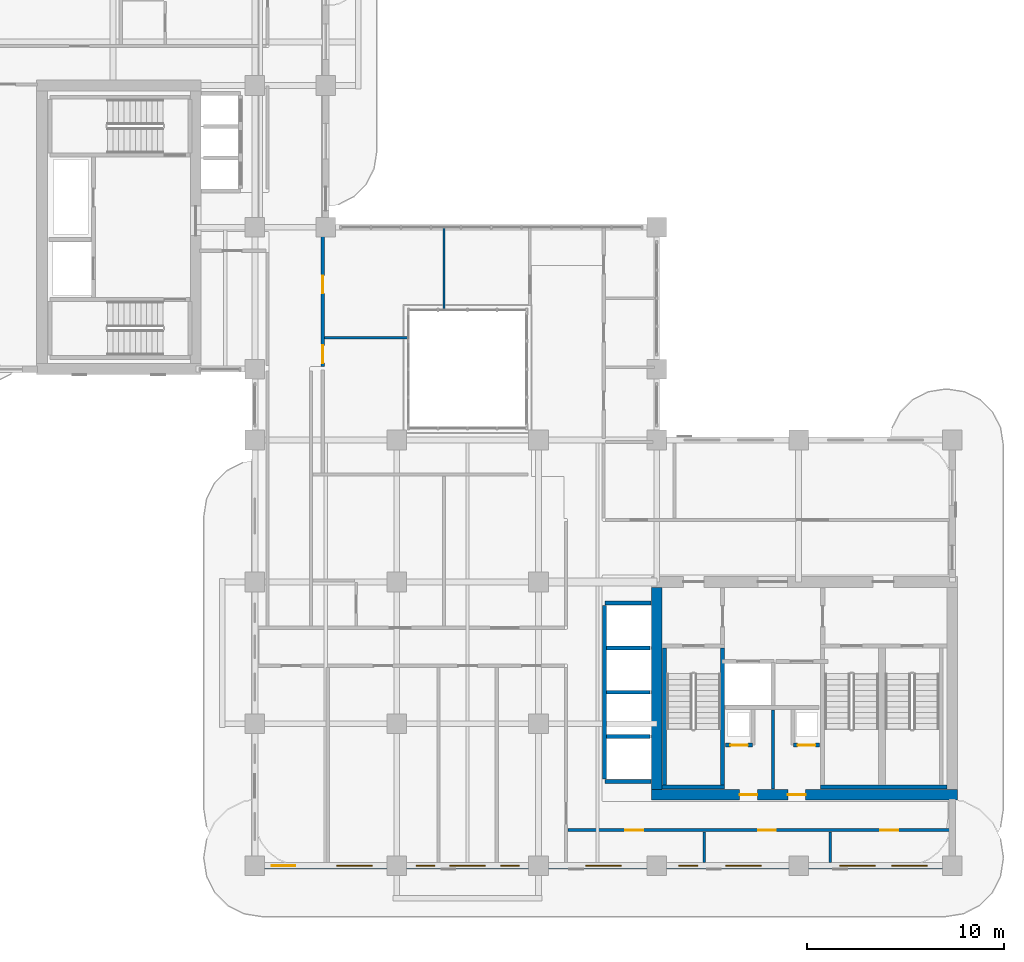
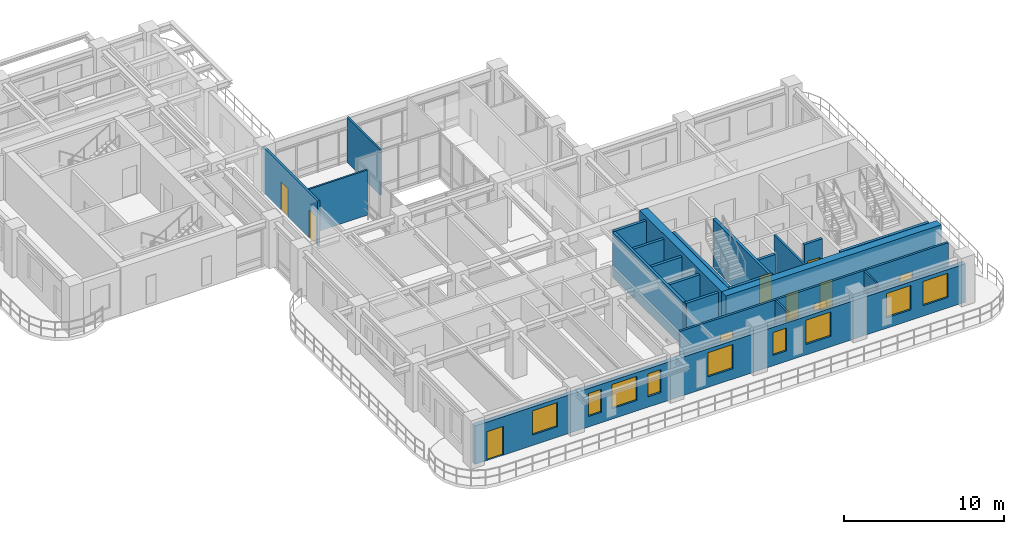
# One storey, part 12 of 20: 22 walls, 10 doors, 9 windows, 19 openings.
"""IFC4 building model written with IfcOpenShell, lengths in metres."""

from ifc_helpers import new_model, si_unit, derived_unit, direction, frame, frame_2d, origin, place, context, subcontext, project, spatial, rectangle, extrude, source, transform, mapped, material, layer, layer_set, type_object, type_shapes, element, fill, save


model = new_model("IFC4")

# Units and contexts
model_context = context("Model", 3, precision=1e-05, world=origin(), true_north=direction((0.0, 1.0)))
body_context = subcontext(model_context, "Body", "Model", "MODEL_VIEW")
ifc_project = project(units=[si_unit("LENGTHUNIT", "METRE"), si_unit("AREAUNIT", "SQUARE_METRE"), si_unit("VOLUMEUNIT", "CUBIC_METRE"), si_unit("PLANEANGLEUNIT", "RADIAN"), si_unit("MASSUNIT", "GRAM", prefix="KILO"), si_unit("THERMODYNAMICTEMPERATUREUNIT", "KELVIN"), si_unit("POWERUNIT", "WATT"), derived_unit("THERMALTRANSMITTANCEUNIT", [(si_unit("POWERUNIT", "WATT"), 1), (si_unit("AREAUNIT", "SQUARE_METRE"), -1), (si_unit("THERMODYNAMICTEMPERATUREUNIT", "KELVIN"), -1)])], contexts=[model_context])

# Site, building, storey
site_placement = place(None, origin())
site = spatial("IfcSite", under=ifc_project, at=site_placement, CompositionType="ELEMENT")
building_placement = place(site_placement, origin())
building = spatial("IfcBuilding", under=site, at=building_placement, Name="Zahravan Archway Hotel and Residences", CompositionType="ELEMENT")
storey_placement = place(building_placement, frame((0.0, 0.0, 137.699951171875)))
storey = spatial("IfcBuildingStorey", under=building, at=storey_placement, Name="L34", CompositionType="ELEMENT", Elevation=137.699951171875)

# Wall, openings, doors
ifc_material_1 = material(Name="Concrete C70/85", Category="concrete")
ifc_layer_1 = layer(ifc_material_1, 0.550048828125, Name="Concrete C70/85", Category="concrete")
ifc_layer_set_1 = layer_set([ifc_layer_1], Name="Concrete C70/85")
wall_type_1 = type_object("IfcWallType", Name="CW-CORE-550", PredefinedType="SHEAR", material=ifc_layer_set_1)
wall_1_placement = place(storey_placement, frame((34.52490234375, 3.60009765625, 0.0), z_axis=(0.0, 0.0, 1.0), x_axis=(1.0, 0.0, 0.0)))
wall_1 = element("IfcWall", 1, at=wall_1_placement, inside=storey, type_object=wall_type_1, Name="L34 Core A Shear S Wall 550 mm", PredefinedType="SHEAR", context=body_context, shape_type="SweptSolid", body=[
    extrude(rectangle(XDim=15.550048828125, YDim=0.550048828125, at=frame_2d((7.77490234375, 0.0))), origin(), (0.0, 0.0, 1.0), 3.699951171875),
])
opening_1_placement = place(wall_1_placement, frame((4.47509765625, 0.0, 0.0)))
opening_1 = element("IfcOpeningElement", 2, at=opening_1_placement, cuts=wall_1, Name="Opening FD-R1", PredefinedType="OPENING", context=body_context, shape_type="SweptSolid", body=[
    extrude(rectangle(XDim=0.89990234375, YDim=2.10009765625, at=frame_2d((0.449951171875, 1.050048828125))), frame((0.0, 0.28515625, 0.0), z_axis=(0.0, -1.0, 0.0), x_axis=(1.0, 0.0, 0.0)), (0.0, 0.0, 1.0), 0.570068359375),
])
opening_2_placement = place(wall_1_placement, frame((6.925048828125, 0.0, 0.0)))
opening_2 = element("IfcOpeningElement", 3, at=opening_2_placement, cuts=wall_1, Name="Opening FD-R1", PredefinedType="OPENING", context=body_context, shape_type="SweptSolid", body=[
    extrude(rectangle(XDim=0.89990234375, YDim=2.10009765625, at=frame_2d((0.449951171875, 1.050048828125))), frame((0.0, 0.28515625, 0.0), z_axis=(0.0, -1.0, 0.0), x_axis=(1.0, 0.0, 0.0)), (0.0, 0.0, 1.0), 0.570068359375),
])
ifc_material_2 = material(Name="Fire-Rated Painted Steel", Category="steel")
door_type_1 = type_object("IfcDoorType", Name="FD-RISER-900", OperationType="NOTDEFINED", PredefinedType="DOOR", material=ifc_material_2)
shared_shape_1 = source(origin(), body_context, "Body", "SweptSolid", [
    extrude(rectangle(XDim=0.89990234375, YDim=2.10009765625, at=frame_2d((0.449951171875, 1.050048828125))), frame((0.0, 0.02490234375, 0.0), z_axis=(0.0, -1.0, 0.0), x_axis=(1.0, 0.0, 0.0)), (0.0, 0.0, 1.0), 0.050048828125),
])
type_shapes(door_type_1, [shared_shape_1])
door_1_placement = place(opening_1_placement, origin())
door_1 = element("IfcDoor", 4, at=door_1_placement, inside=storey, type_object=door_type_1, Name="L34 Electrical Switchgear Door", OperationType="SINGLE_SWING_LEFT", OverallHeight=2.10009765625, OverallWidth=0.89990234375, PredefinedType="DOOR", context=body_context, shape_type="MappedRepresentation", body=[
    mapped(shared_shape_1, transform((0.0, 0.0, 0.0), scale=1.0)),
])
fill(opening_1, door_1)
door_2_placement = place(opening_2_placement, origin())
door_2 = element("IfcDoor", 5, at=door_2_placement, inside=storey, type_object=door_type_1, Name="L34 Telecom BMS Door", OperationType="SINGLE_SWING_RIGHT", OverallHeight=2.10009765625, OverallWidth=0.89990234375, PredefinedType="DOOR", context=body_context, shape_type="MappedRepresentation", body=[
    mapped(shared_shape_1, transform((0.0, 0.0, 0.0), scale=1.0)),
])
fill(opening_2, door_2)

# Wall
wall_2_placement = place(storey_placement, frame((34.800048828125, 3.875, 0.0), z_axis=(0.0, 0.0, 1.0), x_axis=(0.0, 1.0, 0.0)))
element("IfcWall", 6, at=wall_2_placement, inside=storey, type_object=wall_type_1, Name="L34 Core A Shear W Wall 550 mm", PredefinedType="SHEAR", context=body_context, shape_type="SweptSolid", body=[
    extrude(rectangle(XDim=10.25, YDim=0.550048828125, at=frame_2d((5.125, 0.0))), origin(), (0.0, 0.0, 1.0), 3.699951171875),
])

# Wall, openings, door, windows
ifc_material_3 = material(Name="Agra Buff Sandstone & Insulated Backup", Category="masonry")
ifc_layer_2 = layer(ifc_material_3, 0.320068359375, Name="Agra Buff Sandstone & Insulated Backup", Category="masonry")
ifc_layer_set_2 = layer_set([ifc_layer_2], Name="Agra Buff Sandstone & Insulated Backup")
wall_type_2 = type_object("IfcWallType", Name="EW-SAND-320", PredefinedType="SOLIDWALL", material=ifc_layer_set_2)
wall_3_placement = place(storey_placement, frame((14.39990234375, 0.0, 0.0), z_axis=(0.0, 0.0, 1.0), x_axis=(1.0, 0.0, 0.0)))
wall_3 = element("IfcWall", 7, at=wall_3_placement, inside=storey, type_object=wall_type_2, Name="L34 Exterior Sandstone Wall WA-S", PredefinedType="SOLIDWALL", context=body_context, shape_type="SweptSolid", body=[
    extrude(rectangle(XDim=35.400146484375, YDim=0.320068359375, at=frame_2d((17.7001953125, 0.0))), origin(), (0.0, 0.0, 1.0), 2.93505859375),
])
opening_3_placement = place(wall_3_placement, frame((0.85009765625, 0.0, 0.0)))
opening_3 = element("IfcOpeningElement", 8, at=opening_3_placement, cuts=wall_3, Name="Opening ED-BL1", PredefinedType="OPENING", context=body_context, shape_type="SweptSolid", body=[
    extrude(rectangle(XDim=1.199951171875, YDim=2.199951171875, at=frame_2d((0.60009765625, 1.10009765625))), frame((0.0, 0.169921875, 0.0), z_axis=(0.0, -1.0, 0.0), x_axis=(1.0, 0.0, 0.0)), (0.0, 0.0, 1.0), 0.340087890625),
])
opening_4_placement = place(wall_3_placement, frame((4.154052734375, 0.0, 0.800048828125)))
opening_4 = element("IfcOpeningElement", 9, at=opening_4_placement, cuts=wall_3, Name="Opening W-02", PredefinedType="OPENING", context=body_context, shape_type="SweptSolid", body=[
    extrude(rectangle(XDim=1.800048828125, YDim=1.85009765625, at=frame_2d((0.89990234375, 0.925048828125))), frame((0.0, 0.169921875, 0.0), z_axis=(0.0, -1.0, 0.0), x_axis=(1.0, 0.0, 0.0)), (0.0, 0.0, 1.0), 0.340087890625),
])
opening_5_placement = place(wall_3_placement, frame((8.180908203125, 0.0, 0.800048828125)))
opening_5 = element("IfcOpeningElement", 10, at=opening_5_placement, cuts=wall_3, Name="Opening W-04", PredefinedType="OPENING", context=body_context, shape_type="SweptSolid", body=[
    extrude(rectangle(XDim=0.949951171875, YDim=1.75, at=frame_2d((0.47509765625, 0.875))), frame((0.0, 0.169921875, 0.0), z_axis=(0.0, -1.0, 0.0), x_axis=(1.0, 0.0, 0.0)), (0.0, 0.0, 1.0), 0.340087890625),
])
opening_6_placement = place(wall_3_placement, frame((9.89990234375, 0.0, 0.800048828125)))
opening_6 = element("IfcOpeningElement", 11, at=opening_6_placement, cuts=wall_3, Name="Opening W-02", PredefinedType="OPENING", context=body_context, shape_type="SweptSolid", body=[
    extrude(rectangle(XDim=1.800048828125, YDim=1.85009765625, at=frame_2d((0.89990234375, 0.925048828125))), frame((0.0, 0.169921875, 0.0), z_axis=(0.0, -1.0, 0.0), x_axis=(1.0, 0.0, 0.0)), (0.0, 0.0, 1.0), 0.340087890625),
])
opening_7_placement = place(wall_3_placement, frame((12.468994140625, 0.0, 0.800048828125)))
opening_7 = element("IfcOpeningElement", 12, at=opening_7_placement, cuts=wall_3, Name="Opening W-04", PredefinedType="OPENING", context=body_context, shape_type="SweptSolid", body=[
    extrude(rectangle(XDim=0.949951171875, YDim=1.75, at=frame_2d((0.47509765625, 0.875))), frame((0.0, 0.169921875, 0.0), z_axis=(0.0, -1.0, 0.0), x_axis=(1.0, 0.0, 0.0)), (0.0, 0.0, 1.0), 0.340087890625),
])
opening_8_placement = place(wall_3_placement, frame((16.803955078125, 0.0, 0.800048828125)))
opening_8 = element("IfcOpeningElement", 13, at=opening_8_placement, cuts=wall_3, Name="Opening W-02", PredefinedType="OPENING", context=body_context, shape_type="SweptSolid", body=[
    extrude(rectangle(XDim=1.800048828125, YDim=1.85009765625, at=frame_2d((0.89990234375, 0.925048828125))), frame((0.0, 0.169921875, 0.0), z_axis=(0.0, -1.0, 0.0), x_axis=(1.0, 0.0, 0.0)), (0.0, 0.0, 1.0), 0.340087890625),
])
opening_9_placement = place(wall_3_placement, frame((21.52099609375, 0.0, 0.800048828125)))
opening_9 = element("IfcOpeningElement", 14, at=opening_9_placement, cuts=wall_3, Name="Opening W-04", PredefinedType="OPENING", context=body_context, shape_type="SweptSolid", body=[
    extrude(rectangle(XDim=0.949951171875, YDim=1.75, at=frame_2d((0.47509765625, 0.875))), frame((0.0, 0.169921875, 0.0), z_axis=(0.0, -1.0, 0.0), x_axis=(1.0, 0.0, 0.0)), (0.0, 0.0, 1.0), 0.340087890625),
])
opening_10_placement = place(wall_3_placement, frame((23.904052734375, 0.0, 0.800048828125)))
opening_10 = element("IfcOpeningElement", 15, at=opening_10_placement, cuts=wall_3, Name="Opening W-02", PredefinedType="OPENING", context=body_context, shape_type="SweptSolid", body=[
    extrude(rectangle(XDim=1.800048828125, YDim=1.85009765625, at=frame_2d((0.89990234375, 0.925048828125))), frame((0.0, 0.169921875, 0.0), z_axis=(0.0, -1.0, 0.0), x_axis=(1.0, 0.0, 0.0)), (0.0, 0.0, 1.0), 0.340087890625),
])
opening_11_placement = place(wall_3_placement, frame((29.680908203125, 0.0, 0.800048828125)))
opening_11 = element("IfcOpeningElement", 16, at=opening_11_placement, cuts=wall_3, Name="Opening W-02", PredefinedType="OPENING", context=body_context, shape_type="SweptSolid", body=[
    extrude(rectangle(XDim=1.800048828125, YDim=1.85009765625, at=frame_2d((0.89990234375, 0.925048828125))), frame((0.0, 0.169921875, 0.0), z_axis=(0.0, -1.0, 0.0), x_axis=(1.0, 0.0, 0.0)), (0.0, 0.0, 1.0), 0.340087890625),
])
opening_12_placement = place(wall_3_placement, frame((32.326904296875, 0.0, 0.800048828125)))
opening_12 = element("IfcOpeningElement", 17, at=opening_12_placement, cuts=wall_3, Name="Opening W-02", PredefinedType="OPENING", context=body_context, shape_type="SweptSolid", body=[
    extrude(rectangle(XDim=1.800048828125, YDim=1.85009765625, at=frame_2d((0.89990234375, 0.925048828125))), frame((0.0, 0.169921875, 0.0), z_axis=(0.0, -1.0, 0.0), x_axis=(1.0, 0.0, 0.0)), (0.0, 0.0, 1.0), 0.340087890625),
])
ifc_material_4 = material(Name="Bronze-Anodized Glazed Aluminium", Category="aluminium")
door_type_2 = type_object("IfcDoorType", Name="ED-BALC-1200", OperationType="SLIDING_TO_LEFT", PredefinedType="DOOR", material=ifc_material_4)
shared_shape_2 = source(origin(), body_context, "Body", "SweptSolid", [
    extrude(rectangle(XDim=1.199951171875, YDim=2.199951171875, at=frame_2d((0.60009765625, 1.10009765625))), frame((0.0, 0.02490234375, 0.0), z_axis=(0.0, -1.0, 0.0), x_axis=(1.0, 0.0, 0.0)), (0.0, 0.0, 1.0), 0.050048828125),
])
type_shapes(door_type_2, [shared_shape_2])
door_3_placement = place(opening_3_placement, origin())
door_3 = element("IfcDoor", 18, at=door_3_placement, inside=storey, type_object=door_type_2, Name="L34 Outdoor Access Sliding Door (SLB-BAL-L34-SA)", OperationType="SLIDING_TO_LEFT", OverallHeight=2.199951171875, OverallWidth=1.199951171875, PredefinedType="DOOR", context=body_context, shape_type="MappedRepresentation", body=[
    mapped(shared_shape_2, transform((0.0, 0.0, 0.0), scale=1.0)),
])
fill(opening_3, door_3)
ifc_material_5 = material(Name="Bronze-Anodized Thermal-Break Aluminium & Low-E Glass", Category="aluminium")
window_type_1 = type_object("IfcWindowType", Name="WIN-NAR-950", PartitioningType="SINGLE_PANEL", PredefinedType="WINDOW", material=ifc_material_5)
shared_shape_3 = source(origin(), body_context, "Body", "SweptSolid", [
    extrude(rectangle(XDim=0.949951171875, YDim=1.75, at=frame_2d((0.47509765625, 0.875))), frame((0.0, 0.030029296875, 0.0), z_axis=(0.0, -1.0, 0.0), x_axis=(1.0, 0.0, 0.0)), (0.0, 0.0, 1.0), 0.06005859375),
])
type_shapes(window_type_1, [shared_shape_3])
window_1_placement = place(opening_5_placement, origin())
window_1 = element("IfcWindow", 19, at=window_1_placement, inside=storey, type_object=window_type_1, Name="L34 Loggia Window 02", OverallHeight=1.75, OverallWidth=0.949951171875, PartitioningType="SINGLE_PANEL", PredefinedType="WINDOW", context=body_context, shape_type="MappedRepresentation", body=[
    mapped(shared_shape_3, transform((0.0, 0.0, 0.0), scale=1.0)),
])
fill(opening_5, window_1)
window_2_placement = place(opening_7_placement, origin())
window_2 = element("IfcWindow", 20, at=window_2_placement, inside=storey, type_object=window_type_1, Name="L34 Loggia Window 04", OverallHeight=1.75, OverallWidth=0.949951171875, PartitioningType="SINGLE_PANEL", PredefinedType="WINDOW", context=body_context, shape_type="MappedRepresentation", body=[
    mapped(shared_shape_3, transform((0.0, 0.0, 0.0), scale=1.0)),
])
fill(opening_7, window_2)
window_3_placement = place(opening_9_placement, origin())
window_3 = element("IfcWindow", 21, at=window_3_placement, inside=storey, type_object=window_type_1, Name="L34 Loggia Window 06", OverallHeight=1.75, OverallWidth=0.949951171875, PartitioningType="SINGLE_PANEL", PredefinedType="WINDOW", context=body_context, shape_type="MappedRepresentation", body=[
    mapped(shared_shape_3, transform((0.0, 0.0, 0.0), scale=1.0)),
])
fill(opening_9, window_3)
window_type_2 = type_object("IfcWindowType", Name="WIN-TWR-1800", PartitioningType="DOUBLE_PANEL_VERTICAL", PredefinedType="WINDOW", material=ifc_material_5)
shared_shape_4 = source(origin(), body_context, "Body", "SweptSolid", [
    extrude(rectangle(XDim=1.800048828125, YDim=1.85009765625, at=frame_2d((0.89990234375, 0.925048828125))), frame((0.0, 0.030029296875, 0.0), z_axis=(0.0, -1.0, 0.0), x_axis=(1.0, 0.0, 0.0)), (0.0, 0.0, 1.0), 0.06005859375),
])
type_shapes(window_type_2, [shared_shape_4])
window_4_placement = place(opening_4_placement, origin())
window_4 = element("IfcWindow", 22, at=window_4_placement, inside=storey, type_object=window_type_2, Name="L34 Loggia Window 01", OverallHeight=1.85009765625, OverallWidth=1.800048828125, PartitioningType="DOUBLE_PANEL_VERTICAL", PredefinedType="WINDOW", context=body_context, shape_type="MappedRepresentation", body=[
    mapped(shared_shape_4, transform((0.0, 0.0, 0.0), scale=1.0)),
])
fill(opening_4, window_4)
window_5_placement = place(opening_6_placement, origin())
window_5 = element("IfcWindow", 23, at=window_5_placement, inside=storey, type_object=window_type_2, Name="L34 Loggia Window 03", OverallHeight=1.85009765625, OverallWidth=1.800048828125, PartitioningType="DOUBLE_PANEL_VERTICAL", PredefinedType="WINDOW", context=body_context, shape_type="MappedRepresentation", body=[
    mapped(shared_shape_4, transform((0.0, 0.0, 0.0), scale=1.0)),
])
fill(opening_6, window_5)
window_6_placement = place(opening_8_placement, origin())
window_6 = element("IfcWindow", 24, at=window_6_placement, inside=storey, type_object=window_type_2, Name="L34 Loggia Window 05", OverallHeight=1.85009765625, OverallWidth=1.800048828125, PartitioningType="DOUBLE_PANEL_VERTICAL", PredefinedType="WINDOW", context=body_context, shape_type="MappedRepresentation", body=[
    mapped(shared_shape_4, transform((0.0, 0.0, 0.0), scale=1.0)),
])
fill(opening_8, window_6)
window_7_placement = place(opening_10_placement, origin())
window_7 = element("IfcWindow", 25, at=window_7_placement, inside=storey, type_object=window_type_2, Name="L34 Loggia Window 07", OverallHeight=1.85009765625, OverallWidth=1.800048828125, PartitioningType="DOUBLE_PANEL_VERTICAL", PredefinedType="WINDOW", context=body_context, shape_type="MappedRepresentation", body=[
    mapped(shared_shape_4, transform((0.0, 0.0, 0.0), scale=1.0)),
])
fill(opening_10, window_7)
window_8_placement = place(opening_11_placement, origin())
window_8 = element("IfcWindow", 26, at=window_8_placement, inside=storey, type_object=window_type_2, Name="L34 Loggia Window 08", OverallHeight=1.85009765625, OverallWidth=1.800048828125, PartitioningType="DOUBLE_PANEL_VERTICAL", PredefinedType="WINDOW", context=body_context, shape_type="MappedRepresentation", body=[
    mapped(shared_shape_4, transform((0.0, 0.0, 0.0), scale=1.0)),
])
fill(opening_11, window_8)
window_9_placement = place(opening_12_placement, origin())
window_9 = element("IfcWindow", 27, at=window_9_placement, inside=storey, type_object=window_type_2, Name="L34 Loggia Window 09", OverallHeight=1.85009765625, OverallWidth=1.800048828125, PartitioningType="DOUBLE_PANEL_VERTICAL", PredefinedType="WINDOW", context=body_context, shape_type="MappedRepresentation", body=[
    mapped(shared_shape_4, transform((0.0, 0.0, 0.0), scale=1.0)),
])
fill(opening_12, window_9)

# Wall, openings, doors
ifc_material_6 = material(Name="Fire-Rated Gypsum & Concrete Block", Category="concrete")
ifc_layer_3 = layer(ifc_material_6, 0.159912109375, Name="Fire-Rated Gypsum & Concrete Block", Category="concrete")
ifc_layer_set_3 = layer_set([ifc_layer_3], Name="Fire-Rated Gypsum & Concrete Block")
wall_type_3 = type_object("IfcWallType", Name="PW-CORR-160", PredefinedType="PARTITIONING", material=ifc_layer_set_3)
wall_4_placement = place(storey_placement, frame((30.2900390625, 1.800048828125, 0.0), z_axis=(0.0, 0.0, 1.0), x_axis=(1.0, 0.0, 0.0)))
wall_4 = element("IfcWall", 28, at=wall_4_placement, inside=storey, type_object=wall_type_3, Name="L34 Partition WA-SRS", PredefinedType="PARTITIONING", context=body_context, shape_type="SweptSolid", body=[
    extrude(rectangle(XDim=19.369873046875, YDim=0.159912109375, at=frame_2d((9.68505859375, 0.0))), origin(), (0.0, 0.0, 1.0), 3.449951171875),
])
opening_13_placement = place(wall_4_placement, frame((2.916259765625, 0.0, 0.0)))
opening_13 = element("IfcOpeningElement", 29, at=opening_13_placement, cuts=wall_4, Name="Opening D-I2", PredefinedType="OPENING", context=body_context, shape_type="SweptSolid", body=[
    extrude(rectangle(XDim=0.89990234375, YDim=2.14990234375, at=frame_2d((0.449951171875, 1.074951171875))), frame((0.0, 0.08984375, 0.0), z_axis=(0.0, -1.0, 0.0), x_axis=(1.0, 0.0, 0.0)), (0.0, 0.0, 1.0), 0.179931640625),
])
opening_14_placement = place(wall_4_placement, frame((9.659912109375, 0.0, 0.0)))
opening_14 = element("IfcOpeningElement", 30, at=opening_14_placement, cuts=wall_4, Name="Opening D-I2", PredefinedType="OPENING", context=body_context, shape_type="SweptSolid", body=[
    extrude(rectangle(XDim=0.89990234375, YDim=2.14990234375, at=frame_2d((0.449951171875, 1.074951171875))), frame((0.0, 0.08984375, 0.0), z_axis=(0.0, -1.0, 0.0), x_axis=(1.0, 0.0, 0.0)), (0.0, 0.0, 1.0), 0.179931640625),
])
opening_15_placement = place(wall_4_placement, frame((15.860107421875, 0.0, 0.0)))
opening_15 = element("IfcOpeningElement", 31, at=opening_15_placement, cuts=wall_4, Name="Opening D-I2", PredefinedType="OPENING", context=body_context, shape_type="SweptSolid", body=[
    extrude(rectangle(XDim=0.89990234375, YDim=2.14990234375, at=frame_2d((0.449951171875, 1.074951171875))), frame((0.0, 0.08984375, 0.0), z_axis=(0.0, -1.0, 0.0), x_axis=(1.0, 0.0, 0.0)), (0.0, 0.0, 1.0), 0.179931640625),
])
ifc_material_7 = material(Name="Hardwood Veneer Timber", Category="wood")
door_type_3 = type_object("IfcDoorType", Name="ID-INT-900", OperationType="NOTDEFINED", PredefinedType="DOOR", material=ifc_material_7)
shared_shape_5 = source(origin(), body_context, "Body", "SweptSolid", [
    extrude(rectangle(XDim=0.89990234375, YDim=2.14990234375, at=frame_2d((0.449951171875, 1.074951171875))), frame((0.0, 0.02490234375, 0.0), z_axis=(0.0, -1.0, 0.0), x_axis=(1.0, 0.0, 0.0)), (0.0, 0.0, 1.0), 0.050048828125),
])
type_shapes(door_type_3, [shared_shape_5])
door_4_placement = place(opening_13_placement, origin())
door_4 = element("IfcDoor", 32, at=door_4_placement, inside=storey, type_object=door_type_3, Name="L34 South Office Door", OperationType="SINGLE_SWING_LEFT", OverallHeight=2.14990234375, OverallWidth=0.89990234375, PredefinedType="DOOR", context=body_context, shape_type="MappedRepresentation", body=[
    mapped(shared_shape_5, transform((0.0, 0.0, 0.0), scale=1.0)),
])
fill(opening_13, door_4)
door_5_placement = place(opening_14_placement, origin())
door_5 = element("IfcDoor", 33, at=door_5_placement, inside=storey, type_object=door_type_3, Name="L34 South Meeting Door", OperationType="SINGLE_SWING_RIGHT", OverallHeight=2.14990234375, OverallWidth=0.89990234375, PredefinedType="DOOR", context=body_context, shape_type="MappedRepresentation", body=[
    mapped(shared_shape_5, transform((0.0, 0.0, 0.0), scale=1.0)),
])
fill(opening_14, door_5)
door_6_placement = place(opening_15_placement, origin())
door_6 = element("IfcDoor", 34, at=door_6_placement, inside=storey, type_object=door_type_3, Name="L34 South Prayer Alcove Door", OperationType="SINGLE_SWING_LEFT", OverallHeight=2.14990234375, OverallWidth=0.89990234375, PredefinedType="DOOR", context=body_context, shape_type="MappedRepresentation", body=[
    mapped(shared_shape_5, transform((0.0, 0.0, 0.0), scale=1.0)),
])
fill(opening_15, door_6)

# Walls
ifc_material_8 = material(Name="Acoustic Stud Partition")
ifc_layer_4 = layer(ifc_material_8, 0.125, Name="Acoustic Stud Partition")
ifc_layer_set_4 = layer_set([ifc_layer_4], Name="Acoustic Stud Partition")
wall_type_4 = type_object("IfcWallType", Name="PW-INT-125", PredefinedType="PARTITIONING", material=ifc_layer_set_4)
for number, where, z_axis, x_axis, name in (
    (35, (37.199951171875, 0.16796875, 0.0), (0.0, 0.0, 1.0), (0.0, 1.0, 0.0), "L34 Partition S-DIV2A"),
    (36, (43.60009765625, 0.16796875, 0.0), (0.0, 0.0, 1.0), (0.0, 1.0, 0.0), "L34 Partition S-DIV2B"),
):
    element("IfcWall", number, at=place(storey_placement, frame(where, z_axis=z_axis, x_axis=x_axis)), inside=storey, type_object=wall_type_4, Name=name, PredefinedType="PARTITIONING", context=body_context, shape_type="SweptSolid", body=[
        extrude(rectangle(XDim=1.5419921875, YDim=0.125, at=frame_2d((0.77099609375, 0.0))), origin(), (0.0, 0.0, 1.0), 3.449951171875),
    ])
wall_5_placement = place(storey_placement, frame((17.93994140625, 26.800048828125, 0.0), z_axis=(0.0, 0.0, 1.0), x_axis=(1.0, 0.0, 0.0)))
element("IfcWall", 37, at=wall_5_placement, inside=storey, type_object=wall_type_4, Name="L34 Partition ATR-NW3A", PredefinedType="PARTITIONING", context=body_context, shape_type="SweptSolid", body=[
    extrude(rectangle(XDim=4.232177734375, YDim=0.125, at=frame_2d((2.1162109375, 0.0))), origin(), (0.0, 0.0, 1.0), 3.449951171875),
])
wall_6_placement = place(storey_placement, frame((24.0, 28.22802734375, 0.0), z_axis=(0.0, 0.0, 1.0), x_axis=(0.0, 1.0, 0.0)))
element("IfcWall", 38, at=wall_6_placement, inside=storey, type_object=wall_type_4, Name="L34 Partition ATR-NW3B", PredefinedType="PARTITIONING", context=body_context, shape_type="SweptSolid", body=[
    extrude(rectangle(XDim=4.14404296875, YDim=0.125, at=frame_2d((2.072021484375, 0.0))), origin(), (0.0, 0.0, 1.0), 3.449951171875),
])

# Wall, opening, door
ifc_layer_5 = layer(ifc_material_6, 0.199951171875, Name="Fire-Rated Gypsum & Concrete Block", Category="concrete")
ifc_layer_set_5 = layer_set([ifc_layer_5], Name="Fire-Rated Gypsum & Concrete Block")
wall_type_5 = type_object("IfcWallType", Name="PW-SHAFT-200", PredefinedType="PARTITIONING", material=ifc_layer_set_5)
wall_7_placement = place(storey_placement, frame((38.2900390625, 6.1201171875, 0.0), z_axis=(0.0, 0.0, 1.0), x_axis=(1.0, 0.0, 0.0)))
wall_7 = element("IfcWall", 39, at=wall_7_placement, inside=storey, type_object=wall_type_5, Name="L34 Partition CA-SMKS", PredefinedType="PARTITIONING", context=body_context, shape_type="SweptSolid", body=[
    extrude(rectangle(XDim=1.3798828125, YDim=0.199951171875, at=frame_2d((0.68994140625, 0.0))), origin(), (0.0, 0.0, 1.0), 3.449951171875),
])
opening_16_placement = place(wall_7_placement, frame((0.239990234375, 0.0, 0.0)))
opening_16 = element("IfcOpeningElement", 40, at=opening_16_placement, cuts=wall_7, Name="Opening FD-R1", PredefinedType="OPENING", context=body_context, shape_type="SweptSolid", body=[
    extrude(rectangle(XDim=0.89990234375, YDim=2.10009765625, at=frame_2d((0.449951171875, 1.050048828125))), frame((0.0, 0.10986328125, 0.0), z_axis=(0.0, -1.0, 0.0), x_axis=(1.0, 0.0, 0.0)), (0.0, 0.0, 1.0), 0.219970703125),
])
door_7_placement = place(opening_16_placement, origin())
door_7 = element("IfcDoor", 41, at=door_7_placement, inside=storey, type_object=door_type_1, Name="L34 Smoke Riser Access Door", OperationType="SINGLE_SWING_LEFT", OverallHeight=2.10009765625, OverallWidth=0.89990234375, PredefinedType="DOOR", context=body_context, shape_type="MappedRepresentation", body=[
    mapped(shared_shape_1, transform((0.0, 0.0, 0.0), scale=1.0)),
])
fill(opening_16, door_7)

wall_8_placement = place(storey_placement, frame((41.72998046875, 6.1201171875, 0.0), z_axis=(0.0, 0.0, 1.0), x_axis=(1.0, 0.0, 0.0)))
wall_8 = element("IfcWall", 42, at=wall_8_placement, inside=storey, type_object=wall_type_5, Name="L34 Partition CA-MEPS", PredefinedType="PARTITIONING", context=body_context, shape_type="SweptSolid", body=[
    extrude(rectangle(XDim=1.320068359375, YDim=0.199951171875, at=frame_2d((0.66015625, 0.0))), origin(), (0.0, 0.0, 1.0), 3.449951171875),
])
opening_17_placement = place(wall_8_placement, frame((0.219970703125, 0.0, 0.0)))
opening_17 = element("IfcOpeningElement", 43, at=opening_17_placement, cuts=wall_8, Name="Opening FD-R1", PredefinedType="OPENING", context=body_context, shape_type="SweptSolid", body=[
    extrude(rectangle(XDim=0.89990234375, YDim=2.10009765625, at=frame_2d((0.449951171875, 1.050048828125))), frame((0.0, 0.10986328125, 0.0), z_axis=(0.0, -1.0, 0.0), x_axis=(1.0, 0.0, 0.0)), (0.0, 0.0, 1.0), 0.219970703125),
])
door_8_placement = place(opening_17_placement, origin())
door_8 = element("IfcDoor", 44, at=door_8_placement, inside=storey, type_object=door_type_1, Name="L34 MEP Riser Access Door", OperationType="SINGLE_SWING_RIGHT", OverallHeight=2.10009765625, OverallWidth=0.89990234375, PredefinedType="DOOR", context=body_context, shape_type="MappedRepresentation", body=[
    mapped(shared_shape_1, transform((0.0, 0.0, 0.0), scale=1.0)),
])
fill(opening_17, door_8)

# Walls
for number, where, z_axis, x_axis, name in (
    (45, (32.159912109375, 4.280029296875, 0.0), (0.0, 0.0, 1.0), (1.0, 0.0, 0.0), "L34 Partition B3-S"),
    (46, (32.159912109375, 13.320068359375, 0.0), (0.0, 0.0, 1.0), (1.0, 0.0, 0.0), "L34 Partition B3-N"),
):
    element("IfcWall", number, at=place(storey_placement, frame(where, z_axis=z_axis, x_axis=x_axis)), inside=storey, type_object=wall_type_5, Name=name, PredefinedType="PARTITIONING", context=body_context, shape_type="SweptSolid", body=[
        extrude(rectangle(XDim=2.335205078125, YDim=0.199951171875, at=frame_2d((1.16748046875, 0.0))), origin(), (0.0, 0.0, 1.0), 3.449951171875),
    ])
wall_9_placement = place(storey_placement, frame((32.14990234375, 4.389892578125, 0.0), z_axis=(0.0, 0.0, 1.0), x_axis=(0.0, 1.0, 0.0)))
element("IfcWall", 47, at=wall_9_placement, inside=storey, type_object=wall_type_5, Name="L34 Partition B3-W", PredefinedType="PARTITIONING", context=body_context, shape_type="SweptSolid", body=[
    extrude(rectangle(XDim=8.820068359375, YDim=0.199951171875, at=frame_2d((4.41015625, 0.0))), origin(), (0.0, 0.0, 1.0), 3.449951171875),
])
for number, where, z_axis, x_axis, name in (
    (48, (32.260009765625, 6.56005859375, 0.0), (0.0, 0.0, 1.0), (1.0, 0.0, 0.0), "L34 Partition B3-D"),
    (49, (32.260009765625, 8.800048828125, 0.0), (0.0, 0.0, 1.0), (1.0, 0.0, 0.0), "L34 Partition B3-D"),
    (50, (32.260009765625, 11.0400390625, 0.0), (0.0, 0.0, 1.0), (1.0, 0.0, 0.0), "L34 Partition B3-D"),
):
    element("IfcWall", number, at=place(storey_placement, frame(where, z_axis=z_axis, x_axis=x_axis)), inside=storey, type_object=wall_type_5, Name=name, PredefinedType="PARTITIONING", context=body_context, shape_type="SweptSolid", body=[
        extrude(rectangle(XDim=2.205078125, YDim=0.199951171875, at=frame_2d((1.1025390625, 0.0))), origin(), (0.0, 0.0, 1.0), 3.449951171875),
    ])

# Wall, openings, doors
ifc_layer_6 = layer(ifc_material_8, 0.169921875, Name="Acoustic Stud Partition")
ifc_layer_set_6 = layer_set([ifc_layer_6], Name="Acoustic Stud Partition")
wall_type_6 = type_object("IfcWallType", Name="PW-UNIT-170", PredefinedType="PARTITIONING", material=ifc_layer_set_6)
wall_10_placement = place(storey_placement, frame((17.85009765625, 25.340087890625, 0.0), z_axis=(0.0, 0.0, 1.0), x_axis=(0.0, 1.0, 0.0)))
wall_10 = element("IfcWall", 51, at=wall_10_placement, inside=storey, type_object=wall_type_6, Name="L34 Partition ATR-W2", PredefinedType="PARTITIONING", context=body_context, shape_type="SweptSolid", body=[
    extrude(rectangle(XDim=6.869873046875, YDim=0.169921875, at=frame_2d((3.43505859375, 0.0))), origin(), (0.0, 0.0, 1.0), 3.449951171875),
])
opening_18_placement = place(wall_10_placement, frame((0.159912109375, 0.0, 0.0)))
opening_18 = element("IfcOpeningElement", 52, at=opening_18_placement, cuts=wall_10, Name="Opening D-I2", PredefinedType="OPENING", context=body_context, shape_type="SweptSolid", body=[
    extrude(rectangle(XDim=0.89990234375, YDim=2.14990234375, at=frame_2d((0.449951171875, 1.074951171875))), frame((0.0, 0.094970703125, 0.0), z_axis=(0.0, -1.0, 0.0), x_axis=(1.0, 0.0, 0.0)), (0.0, 0.0, 1.0), 0.18994140625),
])
opening_19_placement = place(wall_10_placement, frame((3.7099609375, 0.0, 0.0)))
opening_19 = element("IfcOpeningElement", 53, at=opening_19_placement, cuts=wall_10, Name="Opening D-I2", PredefinedType="OPENING", context=body_context, shape_type="SweptSolid", body=[
    extrude(rectangle(XDim=0.89990234375, YDim=2.14990234375, at=frame_2d((0.449951171875, 1.074951171875))), frame((0.0, 0.094970703125, 0.0), z_axis=(0.0, -1.0, 0.0), x_axis=(1.0, 0.0, 0.0)), (0.0, 0.0, 1.0), 0.18994140625),
])
door_9_placement = place(opening_18_placement, origin())
door_9 = element("IfcDoor", 54, at=door_9_placement, inside=storey, type_object=door_type_3, Name="L34 Atrium SW Office Door", OperationType="SINGLE_SWING_RIGHT", OverallHeight=2.14990234375, OverallWidth=0.89990234375, PredefinedType="DOOR", context=body_context, shape_type="MappedRepresentation", body=[
    mapped(shared_shape_5, transform((0.0, 0.0, 0.0), scale=1.0)),
])
fill(opening_18, door_9)
door_10_placement = place(opening_19_placement, origin())
door_10 = element("IfcDoor", 55, at=door_10_placement, inside=storey, type_object=door_type_3, Name="L34 Atrium NW Office Door", OperationType="SINGLE_SWING_LEFT", OverallHeight=2.14990234375, OverallWidth=0.89990234375, PredefinedType="DOOR", context=body_context, shape_type="MappedRepresentation", body=[
    mapped(shared_shape_5, transform((0.0, 0.0, 0.0), scale=1.0)),
])
fill(opening_19, door_10)

# Walls
ifc_material_9 = material(Name="Moisture-Resistant Blockwork", Category="masonry")
ifc_layer_7 = layer(ifc_material_9, 0.139892578125, Name="Moisture-Resistant Blockwork", Category="masonry")
ifc_layer_set_7 = layer_set([ifc_layer_7], Name="Moisture-Resistant Blockwork")
wall_type_7 = type_object("IfcWallType", Name="PW-WET-140", PredefinedType="PARTITIONING", material=ifc_layer_set_7)
wall_11_placement = place(storey_placement, frame((40.699951171875, 3.89501953125, 0.0), z_axis=(0.0, 0.0, 1.0), x_axis=(0.0, 1.0, 0.0)))
element("IfcWall", 56, at=wall_11_placement, inside=storey, type_object=wall_type_7, Name="L34 Partition CA-CV0", PredefinedType="PARTITIONING", context=body_context, shape_type="SweptSolid", body=[
    extrude(rectangle(XDim=4.014892578125, YDim=0.139892578125, at=frame_2d((2.00732421875, 0.0))), origin(), (0.0, 0.0, 1.0), 3.449951171875),
])
ifc_material_10 = material(Name="Concrete C50/60", Category="concrete")
ifc_layer_8 = layer(ifc_material_10, 0.199951171875, Name="Concrete C50/60", Category="concrete")
ifc_layer_set_8 = layer_set([ifc_layer_8], Name="Concrete C50/60")
wall_type_8 = type_object("IfcWallType", Name="SW-STAIR-200", PredefinedType="SHEAR", material=ifc_layer_set_8)
wall_12_placement = place(storey_placement, frame((35.074951171875, 4.0, 0.0), z_axis=(0.0, 0.0, 1.0), x_axis=(1.0, 0.0, 0.0)))
element("IfcWall", 57, at=wall_12_placement, inside=storey, type_object=wall_type_8, Name="L34 Stairwell RC Wall CA-SA1S", PredefinedType="SHEAR", context=body_context, shape_type="SweptSolid", body=[
    extrude(rectangle(XDim=3.1650390625, YDim=0.199951171875, at=frame_2d((1.58251953125, 0.0))), origin(), (0.0, 0.0, 1.0), 3.699951171875),
])
for number, where, z_axis, x_axis, name in (
    (58, (35.199951171875, 4.10009765625, 0.0), (0.0, 0.0, 1.0), (0.0, 1.0, 0.0), "L34 Stairwell RC Wall CA-SA1W"),
    (59, (38.139892578125, 4.10009765625, 0.0), (0.0, 0.0, 1.0), (0.0, 1.0, 0.0), "L34 Stairwell RC Wall CA-SA1E"),
):
    element("IfcWall", number, at=place(storey_placement, frame(where, z_axis=z_axis, x_axis=x_axis)), inside=storey, type_object=wall_type_8, Name=name, PredefinedType="SHEAR", context=body_context, shape_type="SweptSolid", body=[
        extrude(rectangle(XDim=6.949951171875, YDim=0.199951171875, at=frame_2d((3.47509765625, 0.0))), origin(), (0.0, 0.0, 1.0), 3.699951171875),
    ])
wall_13_placement = place(storey_placement, frame((43.1201171875, 4.0, 0.0), z_axis=(0.0, 0.0, 1.0), x_axis=(1.0, 0.0, 0.0)))
element("IfcWall", 60, at=wall_13_placement, inside=storey, type_object=wall_type_8, Name="L34 Stairwell RC Wall CA-SA23S", PredefinedType="SHEAR", context=body_context, shape_type="SweptSolid", body=[
    extrude(rectangle(XDim=6.40478515625, YDim=0.199951171875, at=frame_2d((3.202392578125, 0.0))), origin(), (0.0, 0.0, 1.0), 3.699951171875),
])

save(model, "model.ifc")
